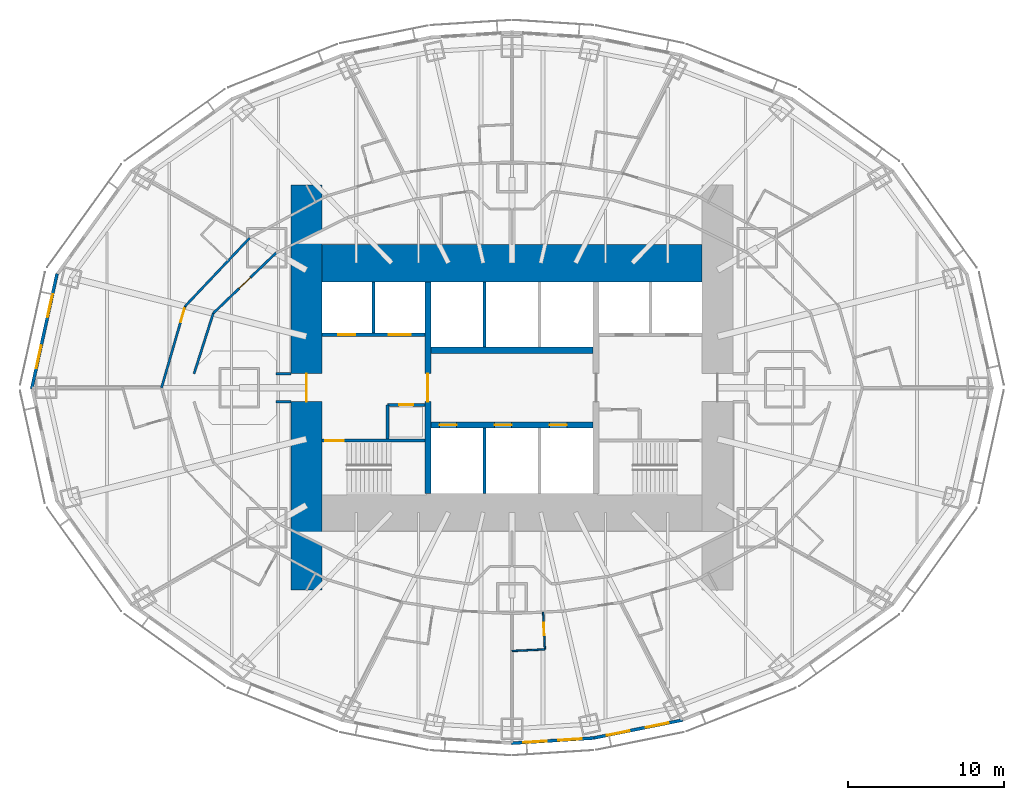
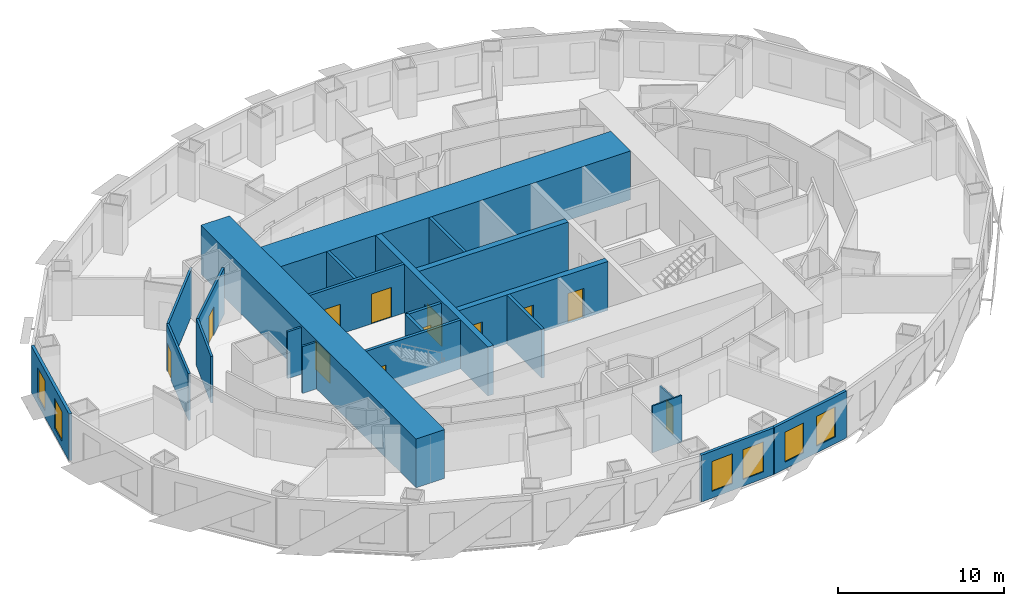
# One storey, part 6 of 15: 23 walls, 12 doors, 6 windows, 18 openings.
"""IFC4 building model written with IfcOpenShell, lengths in metres."""

import ifcopenshell
import ifcopenshell.guid

model = None  # the IFC model being written
_history = None  # IfcOwnerHistory: only IFC2X3 demands one
_inside = {}  # id of a spatial element -> (the spatial element, [elements in it])
_under = {}  # id of a project, library or spatial element -> (it, [spatial elements below it])
_declared = {}  # id of a project -> (the project, [libraries it declares])
_typed = {}  # id of a type object -> (the type object, [elements of that type])
_made_of = {}  # id of a material, layer set ... -> (it, [elements and type objects made of it])


def new_model(schema):
    """Start an empty IFC model of exactly this schema.

    Asked for "IFC4X3", IfcOpenShell would pick the latest addendum, in which some entities
    have other attributes; the version numbers below select the first issue.
    IFC2X3 requires an IfcOwnerHistory on every rooted entity: one is made here for all.
    """
    global model, _history
    if schema == "IFC4X3":
        model = ifcopenshell.file(schema_version=(4, 3, 0, 0))
    else:
        model = ifcopenshell.file(schema=schema)
    _inside.clear()
    _under.clear()
    _declared.clear()
    _typed.clear()
    _made_of.clear()
    _history = None
    if model.schema == "IFC2X3":
        org = make("IfcOrganization", Name="unknown")
        user = make(
            "IfcPersonAndOrganization",
            ThePerson=make("IfcPerson", FamilyName="unknown"),
            TheOrganization=org,
        )
        app = make(
            "IfcApplication",
            ApplicationDeveloper=org,
            Version="unknown",
            ApplicationFullName="unknown",
            ApplicationIdentifier="unknown",
        )
        _history = make(
            "IfcOwnerHistory",
            OwningUser=user,
            OwningApplication=app,
            ChangeAction="ADDED",
            CreationDate=0,
        )
    return model


def make(cls, **values):
    """One entity of the class cls with the attributes given. An attribute that is None is left unset."""
    return model.create_entity(
        cls, **{name: value for name, value in values.items() if value is not None}
    )


def rooted(cls, **values):
    """An entity with a GlobalId (a new one), such as an element, a storey or a relation."""
    return make(cls, GlobalId=ifcopenshell.guid.new(), OwnerHistory=_history, **values)


def si_unit(unit_type, name, prefix=None):
    """IfcSIUnit, for example si_unit("LENGTHUNIT", "METRE", prefix="MILLI")."""
    return make("IfcSIUnit", UnitType=unit_type, Prefix=prefix, Name=name)


def assignment(units):
    """IfcUnitAssignment: the units of a project."""
    return None if units is None else make("IfcUnitAssignment", Units=units)


def point(xyz):
    """IfcCartesianPoint."""
    return None if xyz is None else make("IfcCartesianPoint", Coordinates=xyz)


def direction(xyz):
    """IfcDirection."""
    return None if xyz is None else make("IfcDirection", DirectionRatios=xyz)


def frame(location, z_axis=None, x_axis=None):
    """IfcAxis2Placement3D, a coordinate frame: its origin and axes. An axis left out is left unset."""
    return make(
        "IfcAxis2Placement3D",
        Location=point(location),
        Axis=direction(z_axis),
        RefDirection=direction(x_axis),
    )


def frame_2d(location, x_axis=None):
    """IfcAxis2Placement2D, a coordinate frame in the plane: its origin and x axis."""
    return make(
        "IfcAxis2Placement2D", Location=point(location), RefDirection=direction(x_axis)
    )


def origin():
    """The frame at (0, 0, 0) with its axes left unset."""
    return frame((0.0, 0.0, 0.0))


def place(relative_to, where):
    """IfcLocalPlacement: puts the frame where relative to a parent placement (None: the world)."""
    return make(
        "IfcLocalPlacement", PlacementRelTo=relative_to, RelativePlacement=where
    )


def context(
    kind, dimensions, precision=None, world=None, true_north=None, identifier=None
):
    """IfcGeometricRepresentationContext, for example the 3D "Model" context."""
    return make(
        "IfcGeometricRepresentationContext",
        ContextIdentifier=identifier,
        ContextType=kind,
        CoordinateSpaceDimension=dimensions,
        Precision=precision,
        WorldCoordinateSystem=world,
        TrueNorth=true_north,
    )


def subcontext(parent, identifier, kind, view, scale=None):
    """IfcGeometricRepresentationSubContext, for example "Body" below "Model"."""
    return make(
        "IfcGeometricRepresentationSubContext",
        ContextIdentifier=identifier,
        ContextType=kind,
        ParentContext=parent,
        TargetScale=scale,
        TargetView=view,
    )


def project(units=None, contexts=None):
    """IfcProject with its units and contexts."""
    return rooted(
        "IfcProject",
        Name="project",
        RepresentationContexts=contexts,
        UnitsInContext=assignment(units),
    )


def spatial(cls, under=None, at=None, **own):
    """A site, building, storey or space (cls), placed at a placement, below another one or the project."""
    s = rooted(cls, ObjectPlacement=at, **own)
    if under is not None:
        _under.setdefault(under.id(), (under, []))[1].append(s)
    return s


def profile(cls, at=None, kind="AREA", **sizes):
    """A parametric profile (cls). Its sizes go by their IFC names, for example OverallWidth=200.0."""
    return make(cls, ProfileType=kind, Position=at, **sizes)


def rectangle(**sizes):
    """IfcRectangleProfileDef."""
    return profile("IfcRectangleProfileDef", **sizes)


def extrude(swept, where, along, depth):
    """IfcExtrudedAreaSolid: the profile swept, set in the frame where, extruded along a direction by depth."""
    return make(
        "IfcExtrudedAreaSolid",
        SweptArea=swept,
        Position=where,
        ExtrudedDirection=direction(along),
        Depth=depth,
    )


def shape(context_of_items, identifier, shape_type, items):
    """IfcShapeRepresentation: the items that make up one representation, for example the "Body"."""
    return make(
        "IfcShapeRepresentation",
        ContextOfItems=context_of_items,
        RepresentationIdentifier=identifier,
        RepresentationType=shape_type,
        Items=items,
    )


def material(Name=None, Category=None):
    """IfcMaterial."""
    return make("IfcMaterial", Name=Name, Category=Category)


def layer(
    of_material, thickness, ventilated=None, Name=None, Category=None, Priority=None
):
    """IfcMaterialLayer: one layer of a wall or slab, of a material (None: an air gap)."""
    return make(
        "IfcMaterialLayer",
        Material=of_material,
        LayerThickness=thickness,
        IsVentilated=ventilated,
        Name=Name,
        Category=Category,
        Priority=Priority,
    )


def layer_set(layers, Name=None):
    """IfcMaterialLayerSet."""
    return make("IfcMaterialLayerSet", MaterialLayers=layers, LayerSetName=Name)


def made_of(thing, what):
    """Note that an element or type object is made of a material, layer set ...; save() writes the relation."""
    if what is not None:
        _made_of.setdefault(what.id(), (what, []))[1].append(thing)
    return thing


def type_object(cls, material=None, **own):
    """A type object (cls), such as IfcWallType, which elements share."""
    return made_of(rooted(cls, **own), material)


def element(
    cls,
    number,
    at=None,
    inside=None,
    cuts=None,
    type_object=None,
    material=None,
    context=None,
    identifier="Body",
    shape_type=None,
    held_by="IfcProductDefinitionShape",
    body=None,
    shapes=None,
    **own,
):
    """One element of the class cls, such as IfcWall. Its Tag is "e" and its number.

    at: its placement. inside: the storey or other place that contains it. cuts: it is an
    opening in that element (IfcRelVoidsElement). A single representation is given by context,
    identifier, shape_type and body (its items); several are given by shapes. held_by: the class
    of the entity that holds the representations. save() writes the other relations.
    """
    e = rooted(cls, Tag="e%d" % number, ObjectPlacement=at, **own)
    if body is not None:
        shapes = [shape(context, identifier, shape_type, body)]
    if shapes is not None:
        e.Representation = make(held_by, Representations=shapes)
    if inside is not None:
        _inside.setdefault(inside.id(), (inside, []))[1].append(e)
    if cuts is not None:
        rooted(
            "IfcRelVoidsElement", RelatingBuildingElement=cuts, RelatedOpeningElement=e
        )
    if type_object is not None:
        _typed.setdefault(type_object.id(), (type_object, []))[1].append(e)
    return made_of(e, material)


def fill(opening, filler):
    """IfcRelFillsElement: the door or window that sits in an opening."""
    return rooted(
        "IfcRelFillsElement",
        RelatingOpeningElement=opening,
        RelatedBuildingElement=filler,
    )


def aggregate(whole, parts):
    """IfcRelAggregates: a whole, such as a stair, and the parts it consists of."""
    return rooted("IfcRelAggregates", RelatingObject=whole, RelatedObjects=parts)


def save(model, path):
    """Write the relations noted so far, then the file.

    IfcRelAggregates (storeys below a building ...), IfcRelContainedInSpatialStructure (elements
    in a storey), IfcRelDefinesByType, IfcRelAssociatesMaterial and IfcRelDeclares: one each for
    every whole, place, type object, material and project.
    """
    for whole, parts in _under.values():
        aggregate(whole, parts)
    for where, things in _inside.values():
        rooted(
            "IfcRelContainedInSpatialStructure",
            RelatedElements=things,
            RelatingStructure=where,
        )
    for kind, things in _typed.values():
        rooted("IfcRelDefinesByType", RelatedObjects=things, RelatingType=kind)
    for what, things in _made_of.values():
        rooted("IfcRelAssociatesMaterial", RelatedObjects=things, RelatingMaterial=what)
    for by, libraries in _declared.values():
        rooted("IfcRelDeclares", RelatingContext=by, RelatedDefinitions=libraries)
    model.write(path)


model = new_model("IFC4")

# Units and contexts
model_context = context("Model", 3, precision=1e-05, world=origin(), true_north=direction((0.0, 1.0)))
body_context = subcontext(model_context, "Body", "Model", "MODEL_VIEW")
ifc_project = project(units=[si_unit("LENGTHUNIT", "METRE"), si_unit("AREAUNIT", "SQUARE_METRE"), si_unit("VOLUMEUNIT", "CUBIC_METRE"), si_unit("PLANEANGLEUNIT", "RADIAN"), si_unit("MASSUNIT", "GRAM", prefix="KILO")], contexts=[model_context])

# Site, building, storey
site_placement = place(None, origin())
site = spatial("IfcSite", under=ifc_project, at=site_placement, CompositionType="ELEMENT")
building_placement = place(site_placement, origin())
building = spatial("IfcBuilding", under=site, at=building_placement, Name="Lantaw Convention Tower", CompositionType="ELEMENT")
storey_placement = place(building_placement, frame((0.0, 0.0, 83.800048828125)))
storey = spatial("IfcBuildingStorey", under=building, at=storey_placement, Name="L19", CompositionType="ELEMENT", Elevation=83.800048828125)

# Wall, opening, door
ifc_material_1 = material(Name="Moisture resistant gypsum board on steel studs", Category="steel")
ifc_layer_1 = layer(ifc_material_1, 0.10009765625)
ifc_layer_set_1 = layer_set([ifc_layer_1], Name="Bathroom wall 100")
wall_type_1 = type_object("IfcWallType", Name="Bathroom wall 100", PredefinedType="PARTITIONING", material=ifc_layer_set_1)
wall_1_placement = place(storey_placement, frame((1.997802734375, -14.40478515625, 0.0), z_axis=(0.0, 0.0, 1.0), x_axis=(0.047608648396, -0.998866065395, 0.0)))
wall_1 = element("IfcWall", 1, at=wall_1_placement, inside=storey, type_object=wall_type_1, Name="Bathroom wall 100", PredefinedType="PARTITIONING", context=body_context, shape_type="SweptSolid", body=[
    extrude(rectangle(XDim=2.39990234375, YDim=0.10009765625, at=frame_2d((1.199951171875, 0.0))), origin(), (0.0, 0.0, 1.0), 2.7490234375),
])
opening_1_placement = place(wall_1_placement, frame((0.699951171875, 0.0, 0.0)))
opening_1 = element("IfcOpeningElement", 2, at=opening_1_placement, cuts=wall_1, Name="Opening L19.43", PredefinedType="OPENING", context=body_context, shape_type="SweptSolid", body=[
    extrude(rectangle(XDim=0.800048828125, YDim=2.10009765625, at=frame_2d((0.39990234375, 1.050048828125))), frame((0.0, 0.06005859375, 0.0), z_axis=(0.0, -1.0, 0.0), x_axis=(1.0, 0.0, 0.0)), (0.0, 0.0, 1.0), 0.1201171875),
])
ifc_material_2 = material(Name="Timber", Category="wood")
door_type_1 = type_object("IfcDoorType", Name="Bathroom door 800", OperationType="SINGLE_SWING_LEFT", PredefinedType="DOOR", material=ifc_material_2)
door_1_placement = place(opening_1_placement, origin())
door_1 = element("IfcDoor", 3, at=door_1_placement, inside=storey, type_object=door_type_1, Name="Bathroom door", OperationType="SINGLE_SWING_LEFT", OverallHeight=2.10009765625, OverallWidth=0.800048828125, PredefinedType="DOOR", context=body_context, shape_type="SweptSolid", body=[
    extrude(rectangle(XDim=0.800048828125, YDim=2.10009765625, at=frame_2d((0.39990234375, 1.050048828125))), frame((0.0, 0.02490234375, 0.0), z_axis=(0.0, -1.0, 0.0), x_axis=(1.0, 0.0, 0.0)), (0.0, 0.0, 1.0), 0.050048828125),
])
fill(opening_1, door_1)

# Wall
wall_2_placement = place(storey_placement, frame((2.112060546875, -16.802001953125, 0.0), z_axis=(0.0, 0.0, 1.0), x_axis=(-0.998862383453, -0.047685835668, 0.0)))
element("IfcWall", 4, at=wall_2_placement, inside=storey, type_object=wall_type_1, Name="Bathroom wall 100", PredefinedType="PARTITIONING", context=body_context, shape_type="SweptSolid", body=[
    extrude(rectangle(XDim=2.114501953125, YDim=0.10009765625, at=frame_2d((1.05712890625, 0.0))), origin(), (0.0, 0.0, 1.0), 3.449951171875),
])

# Wall, opening, door
ifc_material_3 = material(Name="Concrete C60/75", Category="concrete")
ifc_layer_2 = layer(ifc_material_3, 0.199951171875)
ifc_layer_set_2 = layer_set([ifc_layer_2], Name="Core wall 200")
wall_type_2 = type_object("IfcWallType", Name="Core wall 200", PredefinedType="SHEAR", material=ifc_layer_set_2)
wall_3_placement = place(storey_placement, frame((-5.60009765625, -3.39990234375, 0.0), z_axis=(0.0, 0.0, 1.0), x_axis=(-1.0, 0.0, 0.0)))
wall_3 = element("IfcWall", 5, at=wall_3_placement, inside=storey, type_object=wall_type_2, Name="Core wall WS", PredefinedType="SHEAR", context=body_context, shape_type="SweptSolid", body=[
    extrude(rectangle(XDim=6.599853515625, YDim=0.199951171875, at=frame_2d((3.2998046875, 0.0))), origin(), (0.0, 0.0, 1.0), 3.599853515625),
])
opening_2_placement = place(wall_3_placement, frame((5.199951171875, 0.0, 0.0)))
opening_2 = element("IfcOpeningElement", 6, at=opening_2_placement, cuts=wall_3, Name="Opening L19.06", PredefinedType="OPENING", context=body_context, shape_type="SweptSolid", body=[
    extrude(rectangle(XDim=1.199951171875, YDim=2.10009765625, at=frame_2d((0.60009765625, 1.050048828125))), frame((0.0, 0.10986328125, 0.0), z_axis=(0.0, -1.0, 0.0), x_axis=(1.0, 0.0, 0.0)), (0.0, 0.0, 1.0), 0.219970703125),
])
ifc_material_4 = material(Name="Steel, fire rated", Category="steel")
door_type_2 = type_object("IfcDoorType", Name="Stair door FD90", OperationType="SINGLE_SWING_RIGHT", PredefinedType="DOOR", material=ifc_material_4)
door_2_placement = place(opening_2_placement, origin())
door_2 = element("IfcDoor", 7, at=door_2_placement, inside=storey, type_object=door_type_2, Name="Exit stair door", OperationType="SINGLE_SWING_RIGHT", OverallHeight=2.10009765625, OverallWidth=1.199951171875, PredefinedType="DOOR", context=body_context, shape_type="SweptSolid", body=[
    extrude(rectangle(XDim=1.199951171875, YDim=2.10009765625, at=frame_2d((0.60009765625, 1.050048828125))), frame((0.0, 0.02490234375, 0.0), z_axis=(0.0, -1.0, 0.0), x_axis=(1.0, 0.0, 0.0)), (0.0, 0.0, 1.0), 0.050048828125),
])
fill(opening_2, door_2)

ifc_layer_3 = layer(ifc_material_3, 2.0)
ifc_layer_set_3 = layer_set([ifc_layer_3], Name="Core wall 2000")
wall_type_3 = type_object("IfcWallType", Name="Core wall 2000", PredefinedType="SHEAR", material=ifc_layer_set_3)
wall_4_placement = place(storey_placement, frame((-13.199951171875, 13.0, 0.0), z_axis=(0.0, 0.0, 1.0), x_axis=(0.0, -1.0, 0.0)))
wall_4 = element("IfcWall", 8, at=wall_4_placement, inside=storey, type_object=wall_type_3, Name="Core wall W", PredefinedType="SHEAR", context=body_context, shape_type="SweptSolid", body=[
    extrude(rectangle(XDim=26.0, YDim=2.0, at=frame_2d((13.0, 0.0))), origin(), (0.0, 0.0, 1.0), 3.599853515625),
])
opening_3_placement = place(wall_4_placement, frame((12.10009765625, 0.0, 0.0)))
opening_3 = element("IfcOpeningElement", 9, at=opening_3_placement, cuts=wall_4, Name="Opening L19.08", PredefinedType="OPENING", context=body_context, shape_type="SweptSolid", body=[
    extrude(rectangle(XDim=1.800048828125, YDim=2.10009765625, at=frame_2d((0.89990234375, 1.050048828125))), frame((0.0, 1.010009765625, 0.0), z_axis=(0.0, -1.0, 0.0), x_axis=(1.0, 0.0, 0.0)), (0.0, 0.0, 1.0), 2.02001953125),
])
door_type_3 = type_object("IfcDoorType", Name="Lobby double door FD90", OperationType="DOUBLE_DOOR_DOUBLE_SWING", PredefinedType="DOOR", material=ifc_material_4)
door_3_placement = place(opening_3_placement, origin())
door_3 = element("IfcDoor", 10, at=door_3_placement, inside=storey, type_object=door_type_3, Name="Firefighting lobby door", OperationType="DOUBLE_DOOR_DOUBLE_SWING", OverallHeight=2.10009765625, OverallWidth=1.800048828125, PredefinedType="DOOR", context=body_context, shape_type="SweptSolid", body=[
    extrude(rectangle(XDim=1.800048828125, YDim=2.10009765625, at=frame_2d((0.89990234375, 1.050048828125))), frame((0.0, 0.02490234375, 0.0), z_axis=(0.0, -1.0, 0.0), x_axis=(1.0, 0.0, 0.0)), (0.0, 0.0, 1.0), 0.050048828125),
])
fill(opening_3, door_3)

# Wall
ifc_layer_4 = layer(ifc_material_3, 2.39990234375)
ifc_layer_set_4 = layer_set([ifc_layer_4], Name="Core wall 2400")
wall_type_4 = type_object("IfcWallType", Name="Core wall 2400", PredefinedType="SHEAR", material=ifc_layer_set_4)
wall_5_placement = place(storey_placement, frame((12.199951171875, 8.0, 0.0), z_axis=(0.0, 0.0, 1.0), x_axis=(-1.0, 0.0, 0.0)))
element("IfcWall", 11, at=wall_5_placement, inside=storey, type_object=wall_type_4, Name="Core wall N", PredefinedType="SHEAR", context=body_context, shape_type="SweptSolid", body=[
    extrude(rectangle(XDim=24.39990234375, YDim=2.39990234375, at=frame_2d((12.199951171875, 0.0))), origin(), (0.0, 0.0, 1.0), 3.599853515625),
])

# Wall, opening, door
ifc_layer_5 = layer(ifc_material_3, 0.39990234375)
ifc_layer_set_5 = layer_set([ifc_layer_5], Name="Core wall 400")
wall_type_5 = type_object("IfcWallType", Name="Core wall 400", PredefinedType="SHEAR", material=ifc_layer_set_5)
wall_6_placement = place(storey_placement, frame((-5.39990234375, 6.800048828125, 0.0), z_axis=(0.0, 0.0, 1.0), x_axis=(0.0, -1.0, 0.0)))
wall_6 = element("IfcWall", 12, at=wall_6_placement, inside=storey, type_object=wall_type_5, Name="Core wall XW", PredefinedType="SHEAR", context=body_context, shape_type="SweptSolid", body=[
    extrude(rectangle(XDim=13.60009765625, YDim=0.39990234375, at=frame_2d((6.800048828125, 0.0))), origin(), (0.0, 0.0, 1.0), 3.599853515625),
])
opening_4_placement = place(wall_6_placement, frame((5.89990234375, 0.0, 0.0)))
opening_4 = element("IfcOpeningElement", 13, at=opening_4_placement, cuts=wall_6, Name="Opening L19.04", PredefinedType="OPENING", context=body_context, shape_type="SweptSolid", body=[
    extrude(rectangle(XDim=1.800048828125, YDim=2.10009765625, at=frame_2d((0.89990234375, 1.050048828125))), frame((0.0, 0.2099609375, 0.0), z_axis=(0.0, -1.0, 0.0), x_axis=(1.0, 0.0, 0.0)), (0.0, 0.0, 1.0), 0.419921875),
])
door_4_placement = place(opening_4_placement, origin())
door_4 = element("IfcDoor", 14, at=door_4_placement, inside=storey, type_object=door_type_3, Name="Lift lobby door", OperationType="DOUBLE_DOOR_DOUBLE_SWING", OverallHeight=2.10009765625, OverallWidth=1.800048828125, PredefinedType="DOOR", context=body_context, shape_type="SweptSolid", body=[
    extrude(rectangle(XDim=1.800048828125, YDim=2.10009765625, at=frame_2d((0.89990234375, 1.050048828125))), frame((0.0, 0.02490234375, 0.0), z_axis=(0.0, -1.0, 0.0), x_axis=(1.0, 0.0, 0.0)), (0.0, 0.0, 1.0), 0.050048828125),
])
fill(opening_4, door_4)

# Wall, openings, doors
wall_7_placement = place(storey_placement, frame((-5.199951171875, -2.39990234375, 0.0), z_axis=(0.0, 0.0, 1.0), x_axis=(1.0, 0.0, 0.0)))
wall_7 = element("IfcWall", 15, at=wall_7_placement, inside=storey, type_object=wall_type_5, Name="Core wall BS", PredefinedType="SHEAR", context=body_context, shape_type="SweptSolid", body=[
    extrude(rectangle(XDim=10.39990234375, YDim=0.39990234375, at=frame_2d((5.199951171875, 0.0))), origin(), (0.0, 0.0, 1.0), 3.599853515625),
])
opening_5_placement = place(wall_7_placement, frame((0.550048828125, 0.0, 0.0)))
opening_5 = element("IfcOpeningElement", 16, at=opening_5_placement, cuts=wall_7, Name="Opening L19.09", PredefinedType="OPENING", context=body_context, shape_type="SweptSolid", body=[
    extrude(rectangle(XDim=1.10009765625, YDim=2.199951171875, at=frame_2d((0.550048828125, 1.10009765625))), frame((0.0, 0.2099609375, 0.0), z_axis=(0.0, -1.0, 0.0), x_axis=(1.0, 0.0, 0.0)), (0.0, 0.0, 1.0), 0.419921875),
])
opening_6_placement = place(wall_7_placement, frame((4.083251953125, 0.0, 0.0)))
opening_6 = element("IfcOpeningElement", 17, at=opening_6_placement, cuts=wall_7, Name="Opening L19.10", PredefinedType="OPENING", context=body_context, shape_type="SweptSolid", body=[
    extrude(rectangle(XDim=1.10009765625, YDim=2.199951171875, at=frame_2d((0.550048828125, 1.10009765625))), frame((0.0, 0.2099609375, 0.0), z_axis=(0.0, -1.0, 0.0), x_axis=(1.0, 0.0, 0.0)), (0.0, 0.0, 1.0), 0.419921875),
])
opening_7_placement = place(wall_7_placement, frame((7.61669921875, 0.0, 0.0)))
opening_7 = element("IfcOpeningElement", 18, at=opening_7_placement, cuts=wall_7, Name="Opening L19.11", PredefinedType="OPENING", context=body_context, shape_type="SweptSolid", body=[
    extrude(rectangle(XDim=1.10009765625, YDim=2.199951171875, at=frame_2d((0.550048828125, 1.10009765625))), frame((0.0, 0.2099609375, 0.0), z_axis=(0.0, -1.0, 0.0), x_axis=(1.0, 0.0, 0.0)), (0.0, 0.0, 1.0), 0.419921875),
])
ifc_material_5 = material(Name="Stainless steel", Category="steel")
door_type_4 = type_object("IfcDoorType", Name="Lift landing door 1100", OperationType="DOUBLE_DOOR_SLIDING", PredefinedType="DOOR", material=ifc_material_5)
door_5_placement = place(opening_5_placement, origin())
door_5 = element("IfcDoor", 19, at=door_5_placement, inside=storey, type_object=door_type_4, Name="Lift landing door H1", OperationType="DOUBLE_DOOR_SLIDING", OverallHeight=2.199951171875, OverallWidth=1.10009765625, PredefinedType="DOOR", context=body_context, shape_type="SweptSolid", body=[
    extrude(rectangle(XDim=1.10009765625, YDim=2.199951171875, at=frame_2d((0.550048828125, 1.10009765625))), frame((0.0, 0.02490234375, 0.0), z_axis=(0.0, -1.0, 0.0), x_axis=(1.0, 0.0, 0.0)), (0.0, 0.0, 1.0), 0.050048828125),
])
fill(opening_5, door_5)
door_6_placement = place(opening_6_placement, origin())
door_6 = element("IfcDoor", 20, at=door_6_placement, inside=storey, type_object=door_type_4, Name="Lift landing door H2", OperationType="DOUBLE_DOOR_SLIDING", OverallHeight=2.199951171875, OverallWidth=1.10009765625, PredefinedType="DOOR", context=body_context, shape_type="SweptSolid", body=[
    extrude(rectangle(XDim=1.10009765625, YDim=2.199951171875, at=frame_2d((0.550048828125, 1.10009765625))), frame((0.0, 0.02490234375, 0.0), z_axis=(0.0, -1.0, 0.0), x_axis=(1.0, 0.0, 0.0)), (0.0, 0.0, 1.0), 0.050048828125),
])
fill(opening_6, door_6)
door_7_placement = place(opening_7_placement, origin())
door_7 = element("IfcDoor", 21, at=door_7_placement, inside=storey, type_object=door_type_4, Name="Lift landing door H3", OperationType="DOUBLE_DOOR_SLIDING", OverallHeight=2.199951171875, OverallWidth=1.10009765625, PredefinedType="DOOR", context=body_context, shape_type="SweptSolid", body=[
    extrude(rectangle(XDim=1.10009765625, YDim=2.199951171875, at=frame_2d((0.550048828125, 1.10009765625))), frame((0.0, 0.02490234375, 0.0), z_axis=(0.0, -1.0, 0.0), x_axis=(1.0, 0.0, 0.0)), (0.0, 0.0, 1.0), 0.050048828125),
])
fill(opening_7, door_7)

# Walls
wall_8_placement = place(storey_placement, frame((5.199951171875, 2.39990234375, 0.0), z_axis=(0.0, 0.0, 1.0), x_axis=(-1.0, 0.0, 0.0)))
element("IfcWall", 22, at=wall_8_placement, inside=storey, type_object=wall_type_5, Name="Core wall BN", PredefinedType="SHEAR", context=body_context, shape_type="SweptSolid", body=[
    extrude(rectangle(XDim=10.39990234375, YDim=0.39990234375, at=frame_2d((5.199951171875, 0.0))), origin(), (0.0, 0.0, 1.0), 3.599853515625),
])
ifc_material_6 = material(Name="Gypsum board on steel studs, fire rated", Category="steel")
ifc_layer_6 = layer(ifc_material_6, 0.14990234375)
ifc_layer_set_6 = layer_set([ifc_layer_6], Name="Corridor wall 150 EI 60")
wall_type_6 = type_object("IfcWallType", Name="Corridor wall 150 EI 60", PredefinedType="PARTITIONING", material=ifc_layer_set_6)
wall_9_placement = place(storey_placement, frame((-16.8349609375, 9.6201171875, 0.0), z_axis=(0.0, 0.0, 1.0), x_axis=(-0.687062608696, -0.726598218916, 0.0)))
element("IfcWall", 23, at=wall_9_placement, inside=storey, type_object=wall_type_6, Name="Corridor wall 150", PredefinedType="PARTITIONING", context=body_context, shape_type="SweptSolid", body=[
    extrude(rectangle(XDim=6.039306640625, YDim=0.14990234375, at=frame_2d((3.01953125, 0.0))), origin(), (0.0, 0.0, 1.0), 3.449951171875),
])

# Wall, opening, door
wall_10_placement = place(storey_placement, frame((-20.984375, 5.23193359375, 0.0), z_axis=(0.0, 0.0, 1.0), x_axis=(-0.278247435376, -0.960509429785, 0.0)))
wall_10 = element("IfcWall", 24, at=wall_10_placement, inside=storey, type_object=wall_type_6, Name="Corridor wall 150", PredefinedType="PARTITIONING", context=body_context, shape_type="SweptSolid", body=[
    extrude(rectangle(XDim=5.447021484375, YDim=0.14990234375, at=frame_2d((2.7236328125, 0.0))), origin(), (0.0, 0.0, 1.0), 3.449951171875),
])
opening_8_placement = place(wall_10_placement, frame((0.14990234375, 0.0, 0.0)))
opening_8 = element("IfcOpeningElement", 25, at=opening_8_placement, cuts=wall_10, Name="Opening L19.36", PredefinedType="OPENING", context=body_context, shape_type="SweptSolid", body=[
    extrude(rectangle(XDim=0.89990234375, YDim=2.10009765625, at=frame_2d((0.449951171875, 1.050048828125))), frame((0.0, 0.0849609375, 0.0), z_axis=(0.0, -1.0, 0.0), x_axis=(1.0, 0.0, 0.0)), (0.0, 0.0, 1.0), 0.169921875),
])
door_type_5 = type_object("IfcDoorType", Name="Guest room entrance door FD30S", OperationType="SINGLE_SWING_LEFT", PredefinedType="DOOR", material=ifc_material_4)
door_8_placement = place(opening_8_placement, origin())
door_8 = element("IfcDoor", 26, at=door_8_placement, inside=storey, type_object=door_type_5, Name="Junior suite entrance door", OperationType="SINGLE_SWING_LEFT", OverallHeight=2.10009765625, OverallWidth=0.89990234375, PredefinedType="DOOR", context=body_context, shape_type="SweptSolid", body=[
    extrude(rectangle(XDim=0.89990234375, YDim=2.10009765625, at=frame_2d((0.449951171875, 1.050048828125))), frame((0.0, 0.02490234375, 0.0), z_axis=(0.0, -1.0, 0.0), x_axis=(1.0, 0.0, 0.0)), (0.0, 0.0, 1.0), 0.050048828125),
])
fill(opening_8, door_8)

wall_11_placement = place(storey_placement, frame((-15.1474609375, 8.65576171875, 0.0), z_axis=(0.0, 0.0, 1.0), x_axis=(-0.720837261072, -0.693104352209, 0.0)))
wall_11 = element("IfcWall", 27, at=wall_11_placement, inside=storey, type_object=wall_type_6, Name="Corridor wall 150", PredefinedType="PARTITIONING", context=body_context, shape_type="SweptSolid", body=[
    extrude(rectangle(XDim=5.590087890625, YDim=0.14990234375, at=frame_2d((2.794921875, 0.0))), origin(), (0.0, 0.0, 1.0), 3.449951171875),
])
opening_9_placement = place(wall_11_placement, frame((2.294921875, 0.0, 0.0)))
opening_9 = element("IfcOpeningElement", 28, at=opening_9_placement, cuts=wall_11, Name="Opening L19.20", PredefinedType="OPENING", context=body_context, shape_type="SweptSolid", body=[
    extrude(rectangle(XDim=1.0, YDim=2.10009765625, at=frame_2d((0.5, 1.050048828125))), frame((0.0, 0.0849609375, 0.0), z_axis=(0.0, -1.0, 0.0), x_axis=(1.0, 0.0, 0.0)), (0.0, 0.0, 1.0), 0.169921875),
])
door_type_6 = type_object("IfcDoorType", Name="Service door 1000 FD30", OperationType="SINGLE_SWING_LEFT", PredefinedType="DOOR", material=ifc_material_4)
door_9_placement = place(opening_9_placement, origin())
door_9 = element("IfcDoor", 29, at=door_9_placement, inside=storey, type_object=door_type_6, Name="Housekeeping room door", OperationType="SINGLE_SWING_LEFT", OverallHeight=2.10009765625, OverallWidth=1.0, PredefinedType="DOOR", context=body_context, shape_type="SweptSolid", body=[
    extrude(rectangle(XDim=1.0, YDim=2.10009765625, at=frame_2d((0.5, 1.050048828125))), frame((0.0, 0.02490234375, 0.0), z_axis=(0.0, -1.0, 0.0), x_axis=(1.0, 0.0, 0.0)), (0.0, 0.0, 1.0), 0.050048828125),
])
fill(opening_9, door_9)

# Walls
wall_12_placement = place(storey_placement, frame((-19.177001953125, 4.78125, 0.0), z_axis=(0.0, 0.0, 1.0), x_axis=(-0.303505448228, -0.952829702988, 0.0)))
element("IfcWall", 30, at=wall_12_placement, inside=storey, type_object=wall_type_6, Name="Corridor wall 150", PredefinedType="PARTITIONING", context=body_context, shape_type="SweptSolid", body=[
    extrude(rectangle(XDim=4.073486328125, YDim=0.14990234375, at=frame_2d((2.03662109375, 0.0))), origin(), (0.0, 0.0, 1.0), 3.449951171875),
])
for number, where, z_axis, x_axis, name in (
    (31, (-14.199951171875, -0.89990234375, 0.0), (0.0, 0.0, 1.0), (-1.0, 0.0, 0.0), "Corridor wall 150"),
    (32, (-14.199951171875, 0.89990234375, 0.0), (0.0, 0.0, 1.0), (-1.0, 0.0, 0.0), "Corridor wall 150"),
):
    element("IfcWall", number, at=place(storey_placement, frame(where, z_axis=z_axis, x_axis=x_axis)), inside=storey, type_object=wall_type_6, Name=name, PredefinedType="PARTITIONING", context=body_context, shape_type="SweptSolid", body=[
        extrude(rectangle(XDim=0.965087890625, YDim=0.14990234375, at=frame_2d((0.482421875, 0.0))), origin(), (0.0, 0.0, 1.0), 3.449951171875),
    ])

# Wall, openings, windows
ifc_material_7 = material(Name="Insulated aluminium panel on steel frame", Category="steel")
ifc_layer_7 = layer(ifc_material_7, 0.199951171875)
ifc_layer_set_7 = layer_set([ifc_layer_7], Name="External wall 200")
wall_type_7 = type_object("IfcWallType", Name="External wall 200", PredefinedType="SOLIDWALL", material=ifc_layer_set_7)
wall_13_placement = place(storey_placement, frame((-29.207763671875, 7.318115234375, 0.0), z_axis=(0.0, 0.0, 1.0), x_axis=(-0.215238065514, -0.976561608478, 0.0)))
wall_13 = element("IfcWall", 33, at=wall_13_placement, inside=storey, type_object=wall_type_7, Name="Facade panel wall", PredefinedType="SOLIDWALL", context=body_context, shape_type="SweptSolid", body=[
    extrude(rectangle(XDim=7.562255859375, YDim=0.199951171875, at=frame_2d((3.78125, 0.0))), origin(), (0.0, 0.0, 1.0), 3.449951171875),
])
opening_10_placement = place(wall_13_placement, frame((1.340576171875, 0.0, 0.5)))
opening_10 = element("IfcOpeningElement", 34, at=opening_10_placement, cuts=wall_13, Name="Opening W2", PredefinedType="OPENING", context=body_context, shape_type="SweptSolid", body=[
    extrude(rectangle(XDim=1.5, YDim=2.199951171875, at=frame_2d((0.75, 1.10009765625))), frame((0.0, 0.10986328125, 0.0), z_axis=(0.0, -1.0, 0.0), x_axis=(1.0, 0.0, 0.0)), (0.0, 0.0, 1.0), 0.219970703125),
])
opening_11_placement = place(wall_13_placement, frame((4.7216796875, 0.0, 0.5)))
opening_11 = element("IfcOpeningElement", 35, at=opening_11_placement, cuts=wall_13, Name="Opening W2", PredefinedType="OPENING", context=body_context, shape_type="SweptSolid", body=[
    extrude(rectangle(XDim=1.5, YDim=2.199951171875, at=frame_2d((0.75, 1.10009765625))), frame((0.0, 0.10986328125, 0.0), z_axis=(0.0, -1.0, 0.0), x_axis=(1.0, 0.0, 0.0)), (0.0, 0.0, 1.0), 0.219970703125),
])
ifc_material_8 = material(Name="Aluminium frame, clear insulating glass", Category="aluminium")
window_type = type_object("IfcWindowType", Name="Suite window 1500x2200", PartitioningType="SINGLE_PANEL", PredefinedType="WINDOW", material=ifc_material_8)
window_1_placement = place(opening_10_placement, origin())
window_1 = element("IfcWindow", 36, at=window_1_placement, inside=storey, type_object=window_type, Name="Guest room window", OverallHeight=2.199951171875, OverallWidth=1.5, PartitioningType="SINGLE_PANEL", PredefinedType="WINDOW", context=body_context, shape_type="SweptSolid", body=[
    extrude(rectangle(XDim=1.5, YDim=2.199951171875, at=frame_2d((0.75, 1.10009765625))), frame((0.0, 0.030029296875, 0.0), z_axis=(0.0, -1.0, 0.0), x_axis=(1.0, 0.0, 0.0)), (0.0, 0.0, 1.0), 0.06005859375),
])
fill(opening_10, window_1)
window_2_placement = place(opening_11_placement, origin())
window_2 = element("IfcWindow", 37, at=window_2_placement, inside=storey, type_object=window_type, Name="Guest room window", OverallHeight=2.199951171875, OverallWidth=1.5, PartitioningType="SINGLE_PANEL", PredefinedType="WINDOW", context=body_context, shape_type="SweptSolid", body=[
    extrude(rectangle(XDim=1.5, YDim=2.199951171875, at=frame_2d((0.75, 1.10009765625))), frame((0.0, 0.030029296875, 0.0), z_axis=(0.0, -1.0, 0.0), x_axis=(1.0, 0.0, 0.0)), (0.0, 0.0, 1.0), 0.06005859375),
])
fill(opening_11, window_2)

wall_14_placement = place(storey_placement, frame((-0.041015625, -22.8271484375, 0.0), z_axis=(0.0, 0.0, 1.0), x_axis=(0.998018582375, 0.062919863585, 0.0)))
wall_14 = element("IfcWall", 38, at=wall_14_placement, inside=storey, type_object=wall_type_7, Name="Facade panel wall", PredefinedType="SOLIDWALL", context=body_context, shape_type="SweptSolid", body=[
    extrude(rectangle(XDim=5.30419921875, YDim=0.199951171875, at=frame_2d((2.652099609375, 0.0))), origin(), (0.0, 0.0, 1.0), 3.449951171875),
])
opening_12_placement = place(wall_14_placement, frame((0.77587890625, 0.0, 0.5)))
opening_12 = element("IfcOpeningElement", 39, at=opening_12_placement, cuts=wall_14, Name="Opening W2", PredefinedType="OPENING", context=body_context, shape_type="SweptSolid", body=[
    extrude(rectangle(XDim=1.5, YDim=2.199951171875, at=frame_2d((0.75, 1.10009765625))), frame((0.0, 0.10986328125, 0.0), z_axis=(0.0, -1.0, 0.0), x_axis=(1.0, 0.0, 0.0)), (0.0, 0.0, 1.0), 0.219970703125),
])
opening_13_placement = place(wall_14_placement, frame((3.028076171875, 0.0, 0.5)))
opening_13 = element("IfcOpeningElement", 40, at=opening_13_placement, cuts=wall_14, Name="Opening W2", PredefinedType="OPENING", context=body_context, shape_type="SweptSolid", body=[
    extrude(rectangle(XDim=1.5, YDim=2.199951171875, at=frame_2d((0.75, 1.10009765625))), frame((0.0, 0.10986328125, 0.0), z_axis=(0.0, -1.0, 0.0), x_axis=(1.0, 0.0, 0.0)), (0.0, 0.0, 1.0), 0.219970703125),
])
window_3_placement = place(opening_12_placement, origin())
window_3 = element("IfcWindow", 41, at=window_3_placement, inside=storey, type_object=window_type, Name="Guest room window", OverallHeight=2.199951171875, OverallWidth=1.5, PartitioningType="SINGLE_PANEL", PredefinedType="WINDOW", context=body_context, shape_type="SweptSolid", body=[
    extrude(rectangle(XDim=1.5, YDim=2.199951171875, at=frame_2d((0.75, 1.10009765625))), frame((0.0, 0.030029296875, 0.0), z_axis=(0.0, -1.0, 0.0), x_axis=(1.0, 0.0, 0.0)), (0.0, 0.0, 1.0), 0.06005859375),
])
fill(opening_12, window_3)
window_4_placement = place(opening_13_placement, origin())
window_4 = element("IfcWindow", 42, at=window_4_placement, inside=storey, type_object=window_type, Name="Guest room window", OverallHeight=2.199951171875, OverallWidth=1.5, PartitioningType="SINGLE_PANEL", PredefinedType="WINDOW", context=body_context, shape_type="SweptSolid", body=[
    extrude(rectangle(XDim=1.5, YDim=2.199951171875, at=frame_2d((0.75, 1.10009765625))), frame((0.0, 0.030029296875, 0.0), z_axis=(0.0, -1.0, 0.0), x_axis=(1.0, 0.0, 0.0)), (0.0, 0.0, 1.0), 0.06005859375),
])
fill(opening_13, window_4)

wall_15_placement = place(storey_placement, frame((5.169677734375, -22.504150390625, 0.0), z_axis=(0.0, 0.0, 1.0), x_axis=(0.980251657452, 0.197754110105, 0.0)))
wall_15 = element("IfcWall", 43, at=wall_15_placement, inside=storey, type_object=wall_type_7, Name="Facade panel wall", PredefinedType="SOLIDWALL", context=body_context, shape_type="SweptSolid", body=[
    extrude(rectangle(XDim=5.90380859375, YDim=0.199951171875, at=frame_2d((2.951904296875, 0.0))), origin(), (0.0, 0.0, 1.0), 3.449951171875),
])
opening_14_placement = place(wall_15_placement, frame((0.92578125, 0.0, 0.5)))
opening_14 = element("IfcOpeningElement", 44, at=opening_14_placement, cuts=wall_15, Name="Opening W2", PredefinedType="OPENING", context=body_context, shape_type="SweptSolid", body=[
    extrude(rectangle(XDim=1.5, YDim=2.199951171875, at=frame_2d((0.75, 1.10009765625))), frame((0.0, 0.10986328125, 0.0), z_axis=(0.0, -1.0, 0.0), x_axis=(1.0, 0.0, 0.0)), (0.0, 0.0, 1.0), 0.219970703125),
])
opening_15_placement = place(wall_15_placement, frame((3.477783203125, 0.0, 0.5)))
opening_15 = element("IfcOpeningElement", 45, at=opening_15_placement, cuts=wall_15, Name="Opening W2", PredefinedType="OPENING", context=body_context, shape_type="SweptSolid", body=[
    extrude(rectangle(XDim=1.5, YDim=2.199951171875, at=frame_2d((0.75, 1.10009765625))), frame((0.0, 0.10986328125, 0.0), z_axis=(0.0, -1.0, 0.0), x_axis=(1.0, 0.0, 0.0)), (0.0, 0.0, 1.0), 0.219970703125),
])
window_5_placement = place(opening_14_placement, origin())
window_5 = element("IfcWindow", 46, at=window_5_placement, inside=storey, type_object=window_type, Name="Guest room window", OverallHeight=2.199951171875, OverallWidth=1.5, PartitioningType="SINGLE_PANEL", PredefinedType="WINDOW", context=body_context, shape_type="SweptSolid", body=[
    extrude(rectangle(XDim=1.5, YDim=2.199951171875, at=frame_2d((0.75, 1.10009765625))), frame((0.0, 0.030029296875, 0.0), z_axis=(0.0, -1.0, 0.0), x_axis=(1.0, 0.0, 0.0)), (0.0, 0.0, 1.0), 0.06005859375),
])
fill(opening_14, window_5)
window_6_placement = place(opening_15_placement, origin())
window_6 = element("IfcWindow", 47, at=window_6_placement, inside=storey, type_object=window_type, Name="Guest room window", OverallHeight=2.199951171875, OverallWidth=1.5, PartitioningType="SINGLE_PANEL", PredefinedType="WINDOW", context=body_context, shape_type="SweptSolid", body=[
    extrude(rectangle(XDim=1.5, YDim=2.199951171875, at=frame_2d((0.75, 1.10009765625))), frame((0.0, 0.030029296875, 0.0), z_axis=(0.0, -1.0, 0.0), x_axis=(1.0, 0.0, 0.0)), (0.0, 0.0, 1.0), 0.06005859375),
])
fill(opening_15, window_6)

# Wall, opening, door
ifc_material_9 = material(Name="Concrete blockwork, fire rated", Category="masonry")
ifc_layer_8 = layer(ifc_material_9, 0.199951171875)
ifc_layer_set_8 = layer_set([ifc_layer_8], Name="Plant room wall 200 EI 120")
wall_type_8 = type_object("IfcWallType", Name="Plant room wall 200 EI 120", PredefinedType="SOLIDWALL", material=ifc_layer_set_8)
wall_16_placement = place(storey_placement, frame((-5.60009765625, -1.10009765625, 0.0), z_axis=(0.0, 0.0, 1.0), x_axis=(-1.0, 0.0, 0.0)))
wall_16 = element("IfcWall", 48, at=wall_16_placement, inside=storey, type_object=wall_type_8, Name="Plant room wall 200", PredefinedType="SOLIDWALL", context=body_context, shape_type="SweptSolid", body=[
    extrude(rectangle(XDim=2.39990234375, YDim=0.199951171875, at=frame_2d((1.199951171875, 0.0))), origin(), (0.0, 0.0, 1.0), 3.449951171875),
])
opening_16_placement = place(wall_16_placement, frame((0.75, 0.0, 0.0)))
opening_16 = element("IfcOpeningElement", 49, at=opening_16_placement, cuts=wall_16, Name="Opening L19.01", PredefinedType="OPENING", context=body_context, shape_type="SweptSolid", body=[
    extrude(rectangle(XDim=0.89990234375, YDim=2.10009765625, at=frame_2d((0.449951171875, 1.050048828125))), frame((0.0, 0.10986328125, 0.0), z_axis=(0.0, -1.0, 0.0), x_axis=(1.0, 0.0, 0.0)), (0.0, 0.0, 1.0), 0.219970703125),
])
door_type_7 = type_object("IfcDoorType", Name="Service door 900 FD60", OperationType="SINGLE_SWING_LEFT", PredefinedType="DOOR", material=ifc_material_4)
door_10_placement = place(opening_16_placement, origin())
door_10 = element("IfcDoor", 50, at=door_10_placement, inside=storey, type_object=door_type_7, Name="Housekeeping pantry door", OperationType="SINGLE_SWING_LEFT", OverallHeight=2.10009765625, OverallWidth=0.89990234375, PredefinedType="DOOR", context=body_context, shape_type="SweptSolid", body=[
    extrude(rectangle(XDim=0.89990234375, YDim=2.10009765625, at=frame_2d((0.449951171875, 1.050048828125))), frame((0.0, 0.02490234375, 0.0), z_axis=(0.0, -1.0, 0.0), x_axis=(1.0, 0.0, 0.0)), (0.0, 0.0, 1.0), 0.050048828125),
])
fill(opening_16, door_10)

# Walls
wall_17_placement = place(storey_placement, frame((-8.0, -1.10009765625, 0.0), z_axis=(0.0, 0.0, 1.0), x_axis=(0.0, -1.0, 0.0)))
element("IfcWall", 51, at=wall_17_placement, inside=storey, type_object=wall_type_8, Name="Plant room wall 200", PredefinedType="SOLIDWALL", context=body_context, shape_type="SweptSolid", body=[
    extrude(rectangle(XDim=2.199951171875, YDim=0.199951171875, at=frame_2d((1.10009765625, 0.0))), origin(), (0.0, 0.0, 1.0), 3.449951171875),
])
ifc_layer_9 = layer(ifc_material_9, 0.199951171875)
ifc_layer_set_9 = layer_set([ifc_layer_9], Name="Shaft wall 200")
wall_type_9 = type_object("IfcWallType", Name="Shaft wall 200", PredefinedType="SOLIDWALL", material=ifc_layer_set_9)
wall_18_placement = place(storey_placement, frame((-1.7666015625, 2.60009765625, 0.0), z_axis=(0.0, 0.0, 1.0), x_axis=(0.0, 1.0, 0.0)))
element("IfcWall", 52, at=wall_18_placement, inside=storey, type_object=wall_type_9, Name="Shaft wall DN1", PredefinedType="SOLIDWALL", context=body_context, shape_type="SweptSolid", body=[
    extrude(rectangle(XDim=4.199951171875, YDim=0.199951171875, at=frame_2d((2.10009765625, 0.0))), origin(), (0.0, 0.0, 1.0), 3.599853515625),
])

# Wall, openings, doors
wall_19_placement = place(storey_placement, frame((-12.199951171875, 3.39990234375, 0.0), z_axis=(0.0, 0.0, 1.0), x_axis=(1.0, 0.0, 0.0)))
wall_19 = element("IfcWall", 53, at=wall_19_placement, inside=storey, type_object=wall_type_9, Name="Shaft wall WN", PredefinedType="SOLIDWALL", context=body_context, shape_type="SweptSolid", body=[
    extrude(rectangle(XDim=6.599853515625, YDim=0.199951171875, at=frame_2d((3.2998046875, 0.0))), origin(), (0.0, 0.0, 1.0), 3.599853515625),
])
opening_17_placement = place(wall_19_placement, frame((1.050048828125, 0.0, 0.0)))
opening_17 = element("IfcOpeningElement", 54, at=opening_17_placement, cuts=wall_19, Name="Opening L19.12", PredefinedType="OPENING", context=body_context, shape_type="SweptSolid", body=[
    extrude(rectangle(XDim=1.10009765625, YDim=2.199951171875, at=frame_2d((0.550048828125, 1.10009765625))), frame((0.0, 0.10986328125, 0.0), z_axis=(0.0, -1.0, 0.0), x_axis=(1.0, 0.0, 0.0)), (0.0, 0.0, 1.0), 0.219970703125),
])
opening_18_placement = place(wall_19_placement, frame((4.300048828125, 0.0, 0.0)))
opening_18 = element("IfcOpeningElement", 55, at=opening_18_placement, cuts=wall_19, Name="Opening L19.13", PredefinedType="OPENING", context=body_context, shape_type="SweptSolid", body=[
    extrude(rectangle(XDim=1.39990234375, YDim=2.199951171875, at=frame_2d((0.699951171875, 1.10009765625))), frame((0.0, 0.10986328125, 0.0), z_axis=(0.0, -1.0, 0.0), x_axis=(1.0, 0.0, 0.0)), (0.0, 0.0, 1.0), 0.219970703125),
])
door_11_placement = place(opening_17_placement, origin())
door_11 = element("IfcDoor", 56, at=door_11_placement, inside=storey, type_object=door_type_4, Name="Lift landing door FF1", OperationType="DOUBLE_DOOR_SLIDING", OverallHeight=2.199951171875, OverallWidth=1.10009765625, PredefinedType="DOOR", context=body_context, shape_type="SweptSolid", body=[
    extrude(rectangle(XDim=1.10009765625, YDim=2.199951171875, at=frame_2d((0.550048828125, 1.10009765625))), frame((0.0, 0.02490234375, 0.0), z_axis=(0.0, -1.0, 0.0), x_axis=(1.0, 0.0, 0.0)), (0.0, 0.0, 1.0), 0.050048828125),
])
fill(opening_17, door_11)
door_type_8 = type_object("IfcDoorType", Name="Lift landing door 1400", OperationType="DOUBLE_DOOR_SLIDING", PredefinedType="DOOR", material=ifc_material_5)
door_12_placement = place(opening_18_placement, origin())
door_12 = element("IfcDoor", 57, at=door_12_placement, inside=storey, type_object=door_type_8, Name="Lift landing door SV1", OperationType="DOUBLE_DOOR_SLIDING", OverallHeight=2.199951171875, OverallWidth=1.39990234375, PredefinedType="DOOR", context=body_context, shape_type="SweptSolid", body=[
    extrude(rectangle(XDim=1.39990234375, YDim=2.199951171875, at=frame_2d((0.699951171875, 1.10009765625))), frame((0.0, 0.02490234375, 0.0), z_axis=(0.0, -1.0, 0.0), x_axis=(1.0, 0.0, 0.0)), (0.0, 0.0, 1.0), 0.050048828125),
])
fill(opening_18, door_12)

# Walls
wall_20_placement = place(storey_placement, frame((-8.89990234375, 3.5, 0.0), z_axis=(0.0, 0.0, 1.0), x_axis=(0.0, 1.0, 0.0)))
element("IfcWall", 58, at=wall_20_placement, inside=storey, type_object=wall_type_9, Name="Shaft wall WD", PredefinedType="SOLIDWALL", context=body_context, shape_type="SweptSolid", body=[
    extrude(rectangle(XDim=3.300048828125, YDim=0.199951171875, at=frame_2d((1.64990234375, 0.0))), origin(), (0.0, 0.0, 1.0), 3.599853515625),
])
ifc_layer_10 = layer(ifc_material_9, 0.199951171875)
ifc_layer_set_10 = layer_set([ifc_layer_10], Name="Shaft wall 200 load-bearing")
wall_type_10 = type_object("IfcWallType", Name="Shaft wall 200 load-bearing", PredefinedType="SOLIDWALL", material=ifc_layer_set_10)
wall_21_placement = place(storey_placement, frame((-1.7666015625, -2.60009765625, 0.0), z_axis=(0.0, 0.0, 1.0), x_axis=(0.0, -1.0, 0.0)))
element("IfcWall", 59, at=wall_21_placement, inside=storey, type_object=wall_type_10, Name="Shaft wall DS1", PredefinedType="SOLIDWALL", context=body_context, shape_type="SweptSolid", body=[
    extrude(rectangle(XDim=4.199951171875, YDim=0.199951171875, at=frame_2d((2.10009765625, 0.0))), origin(), (0.0, 0.0, 1.0), 3.599853515625),
])

save(model, "model.ifc")
